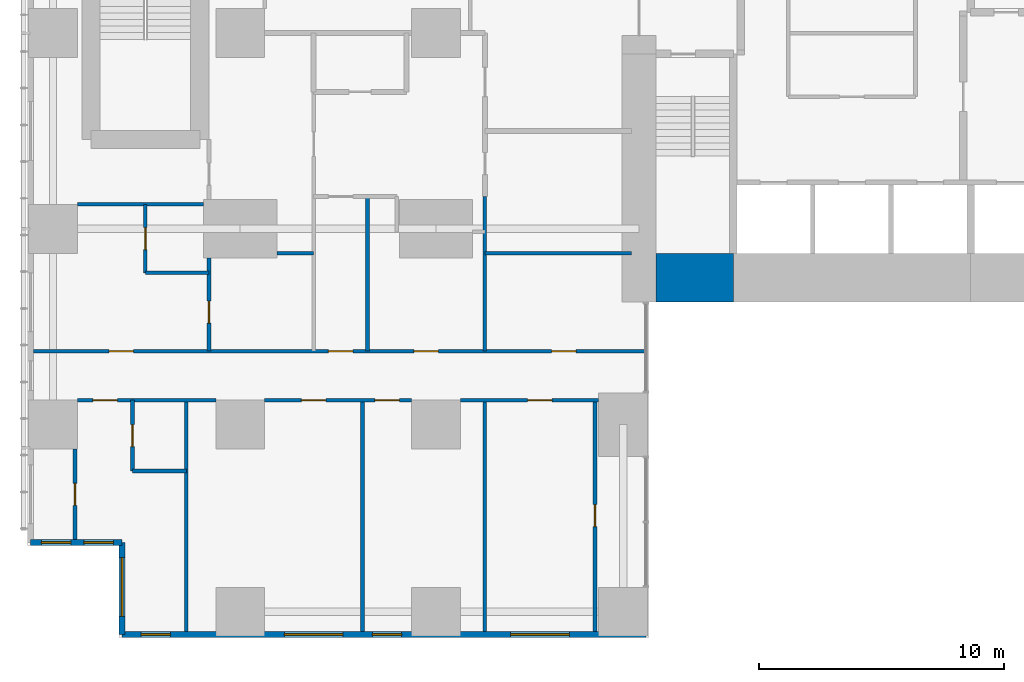
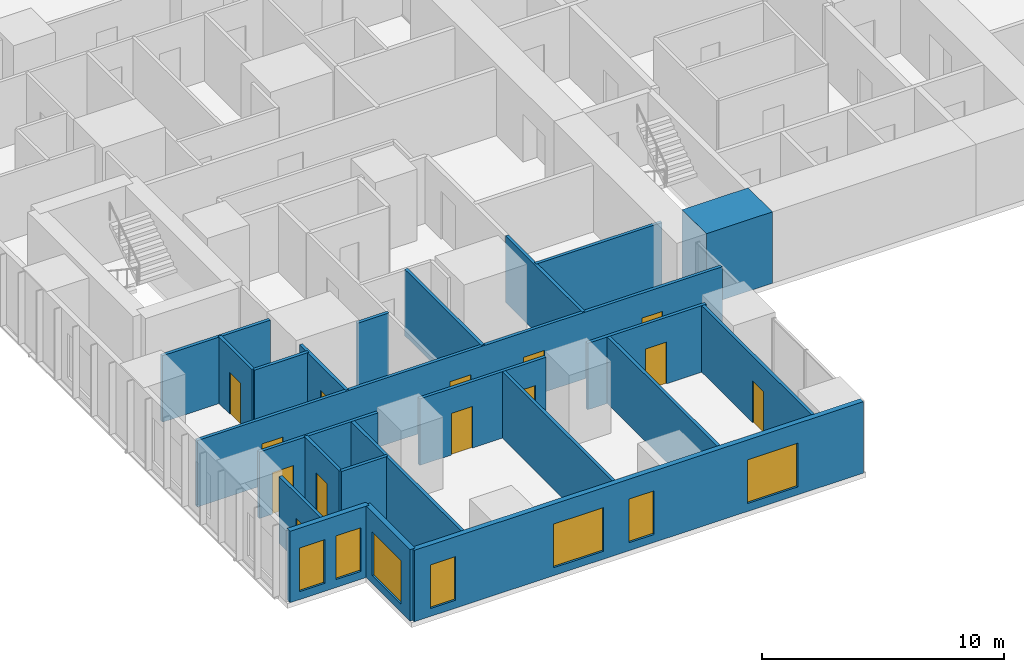
# One storey, part 12 of 20: 23 walls, 13 doors, 7 windows, 20 openings.
"""IFC4 building model written with IfcOpenShell, lengths in metres."""

from ifc_helpers import new_model, si_unit, direction, frame, frame_2d, origin, place, context, subcontext, project, spatial, rectangle, extrude, material, layer, layer_set, type_object, element, fill, save


model = new_model("IFC4")

# Units and contexts
model_context = context("Model", 3, precision=1e-05, world=origin(), true_north=direction((0.0, 1.0)))
body_context = subcontext(model_context, "Body", "Model", "MODEL_VIEW")
ifc_project = project(units=[si_unit("LENGTHUNIT", "METRE"), si_unit("AREAUNIT", "SQUARE_METRE"), si_unit("VOLUMEUNIT", "CUBIC_METRE"), si_unit("PLANEANGLEUNIT", "RADIAN"), si_unit("MASSUNIT", "GRAM", prefix="KILO")], contexts=[model_context])

# Site, building, storey
site_placement = place(None, origin())
site = spatial("IfcSite", under=ifc_project, at=site_placement, CompositionType="ELEMENT")
building_placement = place(site_placement, origin())
building = spatial("IfcBuilding", under=site, at=building_placement, Name="Cleftline Residences", CompositionType="ELEMENT")
storey_placement = place(building_placement, frame((0.0, 0.0, 146.60009765625)))
storey = spatial("IfcBuildingStorey", under=building, at=storey_placement, Name="L38", CompositionType="ELEMENT", Elevation=146.60009765625)

# Wall
ifc_material_1 = material(Name="Concrete B70", Category="concrete")
ifc_layer_1 = layer(ifc_material_1, 2.0)
ifc_layer_set_1 = layer_set([ifc_layer_1], Name="CORE WALL 2000")
wall_type_1 = type_object("IfcWallType", Name="CORE WALL 2000", PredefinedType="SHEAR", material=ifc_layer_set_1)
wall_1_placement = place(storey_placement, frame((25.0, 14.0, 0.0), z_axis=(0.0, 0.0, 1.0), x_axis=(1.0, 0.0, 0.0)))
element("IfcWall", 1, at=wall_1_placement, inside=storey, type_object=wall_type_1, Name="Core wall S1", PredefinedType="SHEAR", context=body_context, shape_type="SweptSolid", body=[
    extrude(rectangle(XDim=3.14990234375, YDim=2.0, at=frame_2d((1.574951171875, 0.0))), origin(), (0.0, 0.0, 1.0), 3.599853515625),
])

# Wall, openings, windows
ifc_material_2 = material(Name="Rendered reinforced concrete blockwork", Category="masonry")
ifc_layer_2 = layer(ifc_material_2, 0.25)
ifc_layer_set_2 = layer_set([ifc_layer_2], Name="EXTERNAL WALL 250")
wall_type_2 = type_object("IfcWallType", Name="EXTERNAL WALL 250", PredefinedType="SOLIDWALL", material=ifc_layer_set_2)
wall_2_placement = place(storey_placement, frame((-0.574951171875, 3.175048828125, 0.0), z_axis=(0.0, 0.0, 1.0), x_axis=(1.0, 0.0, 0.0)))
wall_2 = element("IfcWall", 2, at=wall_2_placement, inside=storey, type_object=wall_type_2, Name="External wall", PredefinedType="SOLIDWALL", context=body_context, shape_type="SweptSolid", body=[
    extrude(rectangle(XDim=3.75, YDim=0.25, at=frame_2d((1.875, 0.0))), origin(), (0.0, 0.0, 1.0), 3.599853515625),
])
opening_1_placement = place(wall_2_placement, frame((0.449951171875, 0.0, 0.39990234375)))
opening_1 = element("IfcOpeningElement", 3, at=opening_1_placement, cuts=wall_2, Name="Opening W11", PredefinedType="OPENING", context=body_context, shape_type="SweptSolid", body=[
    extrude(rectangle(XDim=1.199951171875, YDim=2.199951171875, at=frame_2d((0.60009765625, 1.10009765625))), frame((0.0, 0.135009765625, 0.0), z_axis=(0.0, -1.0, 0.0), x_axis=(1.0, 0.0, 0.0)), (0.0, 0.0, 1.0), 0.27001953125),
])
opening_2_placement = place(wall_2_placement, frame((2.1875, 0.0, 0.39990234375)))
opening_2 = element("IfcOpeningElement", 4, at=opening_2_placement, cuts=wall_2, Name="Opening W11", PredefinedType="OPENING", context=body_context, shape_type="SweptSolid", body=[
    extrude(rectangle(XDim=1.199951171875, YDim=2.199951171875, at=frame_2d((0.60009765625, 1.10009765625))), frame((0.0, 0.135009765625, 0.0), z_axis=(0.0, -1.0, 0.0), x_axis=(1.0, 0.0, 0.0)), (0.0, 0.0, 1.0), 0.27001953125),
])
ifc_material_3 = material(Name="Aluminium frame, clear double glazing", Category="aluminium")
window_type_1 = type_object("IfcWindowType", Name="WINDOW 1200X2200", PartitioningType="DOUBLE_PANEL_VERTICAL", PredefinedType="WINDOW", material=ifc_material_3)
window_1_placement = place(opening_1_placement, origin())
window_1 = element("IfcWindow", 5, at=window_1_placement, inside=storey, type_object=window_type_1, Name="Window", OverallHeight=2.199951171875, OverallWidth=1.199951171875, PartitioningType="SINGLE_PANEL", PredefinedType="WINDOW", context=body_context, shape_type="SweptSolid", body=[
    extrude(rectangle(XDim=1.199951171875, YDim=2.199951171875, at=frame_2d((0.60009765625, 1.10009765625))), frame((0.0, 0.030029296875, 0.0), z_axis=(0.0, -1.0, 0.0), x_axis=(1.0, 0.0, 0.0)), (0.0, 0.0, 1.0), 0.06005859375),
])
fill(opening_1, window_1)
window_2_placement = place(opening_2_placement, origin())
window_2 = element("IfcWindow", 6, at=window_2_placement, inside=storey, type_object=window_type_1, Name="Window", OverallHeight=2.199951171875, OverallWidth=1.199951171875, PartitioningType="SINGLE_PANEL", PredefinedType="WINDOW", context=body_context, shape_type="SweptSolid", body=[
    extrude(rectangle(XDim=1.199951171875, YDim=2.199951171875, at=frame_2d((0.60009765625, 1.10009765625))), frame((0.0, 0.030029296875, 0.0), z_axis=(0.0, -1.0, 0.0), x_axis=(1.0, 0.0, 0.0)), (0.0, 0.0, 1.0), 0.06005859375),
])
fill(opening_2, window_2)

# Wall, opening, window
wall_3_placement = place(storey_placement, frame((3.175048828125, 3.175048828125, 0.0), z_axis=(0.0, 0.0, 1.0), x_axis=(0.0, -1.0, 0.0)))
wall_3 = element("IfcWall", 7, at=wall_3_placement, inside=storey, type_object=wall_type_2, Name="External wall", PredefinedType="SOLIDWALL", context=body_context, shape_type="SweptSolid", body=[
    extrude(rectangle(XDim=3.75, YDim=0.25, at=frame_2d((1.875, 0.0))), origin(), (0.0, 0.0, 1.0), 3.599853515625),
])
opening_3_placement = place(wall_3_placement, frame((0.612548828125, 0.0, 0.39990234375)))
opening_3 = element("IfcOpeningElement", 8, at=opening_3_placement, cuts=wall_3, Name="Opening W12", PredefinedType="OPENING", context=body_context, shape_type="SweptSolid", body=[
    extrude(rectangle(XDim=2.39990234375, YDim=2.199951171875, at=frame_2d((1.199951171875, 1.10009765625))), frame((0.0, 0.135009765625, 0.0), z_axis=(0.0, -1.0, 0.0), x_axis=(1.0, 0.0, 0.0)), (0.0, 0.0, 1.0), 0.27001953125),
])
ifc_material_4 = material(Name="Aluminium frame, clear double glazing", Category="aluminium")
window_type_2 = type_object("IfcWindowType", Name="WINDOW 2400X2200", PartitioningType="DOUBLE_PANEL_VERTICAL", PredefinedType="WINDOW", material=ifc_material_4)
window_3_placement = place(opening_3_placement, origin())
window_3 = element("IfcWindow", 9, at=window_3_placement, inside=storey, type_object=window_type_2, Name="Window", OverallHeight=2.199951171875, OverallWidth=2.39990234375, PartitioningType="SINGLE_PANEL", PredefinedType="WINDOW", context=body_context, shape_type="SweptSolid", body=[
    extrude(rectangle(XDim=2.39990234375, YDim=2.199951171875, at=frame_2d((1.199951171875, 1.10009765625))), frame((0.0, 0.030029296875, 0.0), z_axis=(0.0, -1.0, 0.0), x_axis=(1.0, 0.0, 0.0)), (0.0, 0.0, 1.0), 0.06005859375),
])
fill(opening_3, window_3)

# Wall, openings, windows
wall_4_placement = place(storey_placement, frame((3.175048828125, -0.574951171875, 0.0), z_axis=(0.0, 0.0, 1.0), x_axis=(1.0, 0.0, 0.0)))
wall_4 = element("IfcWall", 10, at=wall_4_placement, inside=storey, type_object=wall_type_2, Name="External wall", PredefinedType="SOLIDWALL", context=body_context, shape_type="SweptSolid", body=[
    extrude(rectangle(XDim=21.39990234375, YDim=0.25, at=frame_2d((10.699951171875, 0.0))), origin(), (0.0, 0.0, 1.0), 3.599853515625),
])
opening_4_placement = place(wall_4_placement, frame((0.77490234375, 0.0, 0.39990234375)))
opening_4 = element("IfcOpeningElement", 11, at=opening_4_placement, cuts=wall_4, Name="Opening W11", PredefinedType="OPENING", context=body_context, shape_type="SweptSolid", body=[
    extrude(rectangle(XDim=1.199951171875, YDim=2.199951171875, at=frame_2d((0.60009765625, 1.10009765625))), frame((0.0, 0.135009765625, 0.0), z_axis=(0.0, -1.0, 0.0), x_axis=(1.0, 0.0, 0.0)), (0.0, 0.0, 1.0), 0.27001953125),
])
opening_5_placement = place(wall_4_placement, frame((6.625, 0.0, 0.39990234375)))
opening_5 = element("IfcOpeningElement", 12, at=opening_5_placement, cuts=wall_4, Name="Opening W12", PredefinedType="OPENING", context=body_context, shape_type="SweptSolid", body=[
    extrude(rectangle(XDim=2.39990234375, YDim=2.199951171875, at=frame_2d((1.199951171875, 1.10009765625))), frame((0.0, 0.135009765625, 0.0), z_axis=(0.0, -1.0, 0.0), x_axis=(1.0, 0.0, 0.0)), (0.0, 0.0, 1.0), 0.27001953125),
])
opening_6_placement = place(wall_4_placement, frame((10.22509765625, 0.0, 0.39990234375)))
opening_6 = element("IfcOpeningElement", 13, at=opening_6_placement, cuts=wall_4, Name="Opening W11", PredefinedType="OPENING", context=body_context, shape_type="SweptSolid", body=[
    extrude(rectangle(XDim=1.199951171875, YDim=2.199951171875, at=frame_2d((0.60009765625, 1.10009765625))), frame((0.0, 0.135009765625, 0.0), z_axis=(0.0, -1.0, 0.0), x_axis=(1.0, 0.0, 0.0)), (0.0, 0.0, 1.0), 0.27001953125),
])
opening_7_placement = place(wall_4_placement, frame((15.875, 0.0, 0.39990234375)))
opening_7 = element("IfcOpeningElement", 14, at=opening_7_placement, cuts=wall_4, Name="Opening W12", PredefinedType="OPENING", context=body_context, shape_type="SweptSolid", body=[
    extrude(rectangle(XDim=2.39990234375, YDim=2.199951171875, at=frame_2d((1.199951171875, 1.10009765625))), frame((0.0, 0.135009765625, 0.0), z_axis=(0.0, -1.0, 0.0), x_axis=(1.0, 0.0, 0.0)), (0.0, 0.0, 1.0), 0.27001953125),
])
window_4_placement = place(opening_4_placement, origin())
window_4 = element("IfcWindow", 15, at=window_4_placement, inside=storey, type_object=window_type_1, Name="Window", OverallHeight=2.199951171875, OverallWidth=1.199951171875, PartitioningType="SINGLE_PANEL", PredefinedType="WINDOW", context=body_context, shape_type="SweptSolid", body=[
    extrude(rectangle(XDim=1.199951171875, YDim=2.199951171875, at=frame_2d((0.60009765625, 1.10009765625))), frame((0.0, 0.030029296875, 0.0), z_axis=(0.0, -1.0, 0.0), x_axis=(1.0, 0.0, 0.0)), (0.0, 0.0, 1.0), 0.06005859375),
])
fill(opening_4, window_4)
window_5_placement = place(opening_6_placement, origin())
window_5 = element("IfcWindow", 16, at=window_5_placement, inside=storey, type_object=window_type_1, Name="Window", OverallHeight=2.199951171875, OverallWidth=1.199951171875, PartitioningType="SINGLE_PANEL", PredefinedType="WINDOW", context=body_context, shape_type="SweptSolid", body=[
    extrude(rectangle(XDim=1.199951171875, YDim=2.199951171875, at=frame_2d((0.60009765625, 1.10009765625))), frame((0.0, 0.030029296875, 0.0), z_axis=(0.0, -1.0, 0.0), x_axis=(1.0, 0.0, 0.0)), (0.0, 0.0, 1.0), 0.06005859375),
])
fill(opening_6, window_5)
window_6_placement = place(opening_5_placement, origin())
window_6 = element("IfcWindow", 17, at=window_6_placement, inside=storey, type_object=window_type_2, Name="Window", OverallHeight=2.199951171875, OverallWidth=2.39990234375, PartitioningType="SINGLE_PANEL", PredefinedType="WINDOW", context=body_context, shape_type="SweptSolid", body=[
    extrude(rectangle(XDim=2.39990234375, YDim=2.199951171875, at=frame_2d((1.199951171875, 1.10009765625))), frame((0.0, 0.030029296875, 0.0), z_axis=(0.0, -1.0, 0.0), x_axis=(1.0, 0.0, 0.0)), (0.0, 0.0, 1.0), 0.06005859375),
])
fill(opening_5, window_6)
window_7_placement = place(opening_7_placement, origin())
window_7 = element("IfcWindow", 18, at=window_7_placement, inside=storey, type_object=window_type_2, Name="Window", OverallHeight=2.199951171875, OverallWidth=2.39990234375, PartitioningType="SINGLE_PANEL", PredefinedType="WINDOW", context=body_context, shape_type="SweptSolid", body=[
    extrude(rectangle(XDim=2.39990234375, YDim=2.199951171875, at=frame_2d((1.199951171875, 1.10009765625))), frame((0.0, 0.030029296875, 0.0), z_axis=(0.0, -1.0, 0.0), x_axis=(1.0, 0.0, 0.0)), (0.0, 0.0, 1.0), 0.06005859375),
])
fill(opening_7, window_7)

# Wall
ifc_material_5 = material(Name="Gypsum board on steel studs", Category="steel")
ifc_layer_3 = layer(ifc_material_5, 0.14990234375)
ifc_layer_set_3 = layer_set([ifc_layer_3], Name="PARTITION 150")
wall_type_3 = type_object("IfcWallType", Name="PARTITION 150", PredefinedType="PARTITIONING", material=ifc_layer_set_3)
wall_5_placement = place(storey_placement, frame((3.60009765625, 6.10009765625, 0.0), z_axis=(0.0, 0.0, 1.0), x_axis=(1.0, 0.0, 0.0)))
element("IfcWall", 19, at=wall_5_placement, inside=storey, type_object=wall_type_3, Name="Partition", PredefinedType="PARTITIONING", context=body_context, shape_type="SweptSolid", body=[
    extrude(rectangle(XDim=2.199951171875, YDim=0.14990234375, at=frame_2d((1.10009765625, 0.0))), origin(), (0.0, 0.0, 1.0), 3.349853515625),
])

# Wall, opening, door
wall_6_placement = place(storey_placement, frame((1.35009765625, 9.0, 0.0), z_axis=(0.0, 0.0, 1.0), x_axis=(1.0, 0.0, 0.0)))
wall_6 = element("IfcWall", 20, at=wall_6_placement, inside=storey, type_object=wall_type_3, Name="Partition", PredefinedType="PARTITIONING", context=body_context, shape_type="SweptSolid", body=[
    extrude(rectangle(XDim=5.64990234375, YDim=0.14990234375, at=frame_2d((2.824951171875, 0.0))), origin(), (0.0, 0.0, 1.0), 3.349853515625),
])
opening_8_placement = place(wall_6_placement, frame((0.625, 0.0, 0.0)))
opening_8 = element("IfcOpeningElement", 21, at=opening_8_placement, cuts=wall_6, Name="Opening D2", PredefinedType="OPENING", context=body_context, shape_type="SweptSolid", body=[
    extrude(rectangle(XDim=1.0, YDim=2.10009765625, at=frame_2d((0.5, 1.050048828125))), frame((0.0, 0.0849609375, 0.0), z_axis=(0.0, -1.0, 0.0), x_axis=(1.0, 0.0, 0.0)), (0.0, 0.0, 1.0), 0.169921875),
])
ifc_material_6 = material(Name="Timber veneer on solid core", Category="wood")
door_type_1 = type_object("IfcDoorType", Name="DOOR 1000X2100", OperationType="SINGLE_SWING_LEFT", PredefinedType="DOOR", material=ifc_material_6)
door_1_placement = place(opening_8_placement, origin())
door_1 = element("IfcDoor", 22, at=door_1_placement, inside=storey, type_object=door_type_1, Name="Door to bedroom 2", OperationType="SINGLE_SWING_RIGHT", OverallHeight=2.10009765625, OverallWidth=1.0, PredefinedType="DOOR", context=body_context, shape_type="SweptSolid", body=[
    extrude(rectangle(XDim=1.0, YDim=2.10009765625, at=frame_2d((0.5, 1.050048828125))), frame((0.0, 0.02490234375, 0.0), z_axis=(0.0, -1.0, 0.0), x_axis=(1.0, 0.0, 0.0)), (0.0, 0.0, 1.0), 0.050048828125),
])
fill(opening_8, door_1)

# Wall, openings, doors
wall_7_placement = place(storey_placement, frame((9.0, 9.0, 0.0), z_axis=(0.0, 0.0, 1.0), x_axis=(1.0, 0.0, 0.0)))
wall_7 = element("IfcWall", 23, at=wall_7_placement, inside=storey, type_object=wall_type_3, Name="Partition", PredefinedType="PARTITIONING", context=body_context, shape_type="SweptSolid", body=[
    extrude(rectangle(XDim=6.0, YDim=0.14990234375, at=frame_2d((3.0, 0.0))), origin(), (0.0, 0.0, 1.0), 3.349853515625),
])
opening_9_placement = place(wall_7_placement, frame((1.5, 0.0, 0.0)))
opening_9 = element("IfcOpeningElement", 24, at=opening_9_placement, cuts=wall_7, Name="Opening D2", PredefinedType="OPENING", context=body_context, shape_type="SweptSolid", body=[
    extrude(rectangle(XDim=1.0, YDim=2.10009765625, at=frame_2d((0.5, 1.050048828125))), frame((0.0, 0.0849609375, 0.0), z_axis=(0.0, -1.0, 0.0), x_axis=(1.0, 0.0, 0.0)), (0.0, 0.0, 1.0), 0.169921875),
])
opening_10_placement = place(wall_7_placement, frame((4.5, 0.0, 0.0)))
opening_10 = element("IfcOpeningElement", 25, at=opening_10_placement, cuts=wall_7, Name="Opening D2", PredefinedType="OPENING", context=body_context, shape_type="SweptSolid", body=[
    extrude(rectangle(XDim=1.0, YDim=2.10009765625, at=frame_2d((0.5, 1.050048828125))), frame((0.0, 0.0849609375, 0.0), z_axis=(0.0, -1.0, 0.0), x_axis=(1.0, 0.0, 0.0)), (0.0, 0.0, 1.0), 0.169921875),
])
door_2_placement = place(opening_9_placement, origin())
door_2 = element("IfcDoor", 26, at=door_2_placement, inside=storey, type_object=door_type_1, Name="Door to living room", OperationType="SINGLE_SWING_RIGHT", OverallHeight=2.10009765625, OverallWidth=1.0, PredefinedType="DOOR", context=body_context, shape_type="SweptSolid", body=[
    extrude(rectangle(XDim=1.0, YDim=2.10009765625, at=frame_2d((0.5, 1.050048828125))), frame((0.0, 0.02490234375, 0.0), z_axis=(0.0, -1.0, 0.0), x_axis=(1.0, 0.0, 0.0)), (0.0, 0.0, 1.0), 0.050048828125),
])
fill(opening_9, door_2)
door_3_placement = place(opening_10_placement, origin())
door_3 = element("IfcDoor", 27, at=door_3_placement, inside=storey, type_object=door_type_1, Name="Door to dining room", OperationType="SINGLE_SWING_LEFT", OverallHeight=2.10009765625, OverallWidth=1.0, PredefinedType="DOOR", context=body_context, shape_type="SweptSolid", body=[
    extrude(rectangle(XDim=1.0, YDim=2.10009765625, at=frame_2d((0.5, 1.050048828125))), frame((0.0, 0.02490234375, 0.0), z_axis=(0.0, -1.0, 0.0), x_axis=(1.0, 0.0, 0.0)), (0.0, 0.0, 1.0), 0.050048828125),
])
fill(opening_10, door_3)

# Wall, opening, door
wall_8_placement = place(storey_placement, frame((17.0, 9.0, 0.0), z_axis=(0.0, 0.0, 1.0), x_axis=(1.0, 0.0, 0.0)))
wall_8 = element("IfcWall", 28, at=wall_8_placement, inside=storey, type_object=wall_type_3, Name="Partition", PredefinedType="PARTITIONING", context=body_context, shape_type="SweptSolid", body=[
    extrude(rectangle(XDim=5.64990234375, YDim=0.14990234375, at=frame_2d((2.824951171875, 0.0))), origin(), (0.0, 0.0, 1.0), 3.349853515625),
])
opening_11_placement = place(wall_8_placement, frame((2.75, 0.0, 0.0)))
opening_11 = element("IfcOpeningElement", 29, at=opening_11_placement, cuts=wall_8, Name="Opening D2", PredefinedType="OPENING", context=body_context, shape_type="SweptSolid", body=[
    extrude(rectangle(XDim=1.0, YDim=2.10009765625, at=frame_2d((0.5, 1.050048828125))), frame((0.0, 0.0849609375, 0.0), z_axis=(0.0, -1.0, 0.0), x_axis=(1.0, 0.0, 0.0)), (0.0, 0.0, 1.0), 0.169921875),
])
door_4_placement = place(opening_11_placement, origin())
door_4 = element("IfcDoor", 30, at=door_4_placement, inside=storey, type_object=door_type_1, Name="Door to show kitchen", OperationType="SINGLE_SWING_LEFT", OverallHeight=2.10009765625, OverallWidth=1.0, PredefinedType="DOOR", context=body_context, shape_type="SweptSolid", body=[
    extrude(rectangle(XDim=1.0, YDim=2.10009765625, at=frame_2d((0.5, 1.050048828125))), frame((0.0, 0.02490234375, 0.0), z_axis=(0.0, -1.0, 0.0), x_axis=(1.0, 0.0, 0.0)), (0.0, 0.0, 1.0), 0.050048828125),
])
fill(opening_11, door_4)

# Wall, openings, doors
wall_9_placement = place(storey_placement, frame((-0.449951171875, 11.0, 0.0), z_axis=(0.0, 0.0, 1.0), x_axis=(1.0, 0.0, 0.0)))
wall_9 = element("IfcWall", 31, at=wall_9_placement, inside=storey, type_object=wall_type_3, Name="Partition", PredefinedType="PARTITIONING", context=body_context, shape_type="SweptSolid", body=[
    extrude(rectangle(XDim=25.010986328125, YDim=0.14990234375, at=frame_2d((12.50537109375, 0.0))), origin(), (0.0, 0.0, 1.0), 3.349853515625),
])
opening_12_placement = place(wall_9_placement, frame((12.050048828125, 0.0, 0.0)))
opening_12 = element("IfcOpeningElement", 32, at=opening_12_placement, cuts=wall_9, Name="Opening D2F30", PredefinedType="OPENING", context=body_context, shape_type="SweptSolid", body=[
    extrude(rectangle(XDim=1.0, YDim=2.10009765625, at=frame_2d((0.5, 1.050048828125))), frame((0.0, 0.0849609375, 0.0), z_axis=(0.0, -1.0, 0.0), x_axis=(1.0, 0.0, 0.0)), (0.0, 0.0, 1.0), 0.169921875),
])
opening_13_placement = place(wall_9_placement, frame((3.08740234375, 0.0, 0.0)))
opening_13 = element("IfcOpeningElement", 33, at=opening_13_placement, cuts=wall_9, Name="Opening D2F30", PredefinedType="OPENING", context=body_context, shape_type="SweptSolid", body=[
    extrude(rectangle(XDim=1.0, YDim=2.10009765625, at=frame_2d((0.5, 1.050048828125))), frame((0.0, 0.0849609375, 0.0), z_axis=(0.0, -1.0, 0.0), x_axis=(1.0, 0.0, 0.0)), (0.0, 0.0, 1.0), 0.169921875),
])
opening_14_placement = place(wall_9_placement, frame((15.550048828125, 0.0, 0.0)))
opening_14 = element("IfcOpeningElement", 34, at=opening_14_placement, cuts=wall_9, Name="Opening D2F30", PredefinedType="OPENING", context=body_context, shape_type="SweptSolid", body=[
    extrude(rectangle(XDim=1.0, YDim=2.10009765625, at=frame_2d((0.5, 1.050048828125))), frame((0.0, 0.0849609375, 0.0), z_axis=(0.0, -1.0, 0.0), x_axis=(1.0, 0.0, 0.0)), (0.0, 0.0, 1.0), 0.169921875),
])
opening_15_placement = place(wall_9_placement, frame((21.175048828125, 0.0, 0.0)))
opening_15 = element("IfcOpeningElement", 35, at=opening_15_placement, cuts=wall_9, Name="Opening D2F30", PredefinedType="OPENING", context=body_context, shape_type="SweptSolid", body=[
    extrude(rectangle(XDim=1.0, YDim=2.10009765625, at=frame_2d((0.5, 1.050048828125))), frame((0.0, 0.0849609375, 0.0), z_axis=(0.0, -1.0, 0.0), x_axis=(1.0, 0.0, 0.0)), (0.0, 0.0, 1.0), 0.169921875),
])
ifc_material_7 = material(Name="Timber veneer on solid core", Category="wood")
door_type_2 = type_object("IfcDoorType", Name="DOOR 1000X2100 EI 30", OperationType="SINGLE_SWING_LEFT", PredefinedType="DOOR", material=ifc_material_7)
door_5_placement = place(opening_12_placement, origin())
door_5 = element("IfcDoor", 36, at=door_5_placement, inside=storey, type_object=door_type_2, Name="Door to residence hall (gallery)", OperationType="SINGLE_SWING_LEFT", OverallHeight=2.10009765625, OverallWidth=1.0, PredefinedType="DOOR", context=body_context, shape_type="SweptSolid", body=[
    extrude(rectangle(XDim=1.0, YDim=2.10009765625, at=frame_2d((0.5, 1.050048828125))), frame((0.0, 0.02490234375, 0.0), z_axis=(0.0, -1.0, 0.0), x_axis=(1.0, 0.0, 0.0)), (0.0, 0.0, 1.0), 0.050048828125),
])
fill(opening_12, door_5)
door_6_placement = place(opening_13_placement, origin())
door_6 = element("IfcDoor", 37, at=door_6_placement, inside=storey, type_object=door_type_2, Name="Door to master bedroom", OperationType="SINGLE_SWING_RIGHT", OverallHeight=2.10009765625, OverallWidth=1.0, PredefinedType="DOOR", context=body_context, shape_type="SweptSolid", body=[
    extrude(rectangle(XDim=1.0, YDim=2.10009765625, at=frame_2d((0.5, 1.050048828125))), frame((0.0, 0.02490234375, 0.0), z_axis=(0.0, -1.0, 0.0), x_axis=(1.0, 0.0, 0.0)), (0.0, 0.0, 1.0), 0.050048828125),
])
fill(opening_13, door_6)
door_7_placement = place(opening_14_placement, origin())
door_7 = element("IfcDoor", 38, at=door_7_placement, inside=storey, type_object=door_type_2, Name="Door to study", OperationType="SINGLE_SWING_LEFT", OverallHeight=2.10009765625, OverallWidth=1.0, PredefinedType="DOOR", context=body_context, shape_type="SweptSolid", body=[
    extrude(rectangle(XDim=1.0, YDim=2.10009765625, at=frame_2d((0.5, 1.050048828125))), frame((0.0, 0.02490234375, 0.0), z_axis=(0.0, -1.0, 0.0), x_axis=(1.0, 0.0, 0.0)), (0.0, 0.0, 1.0), 0.050048828125),
])
fill(opening_14, door_7)
door_8_placement = place(opening_15_placement, origin())
door_8 = element("IfcDoor", 39, at=door_8_placement, inside=storey, type_object=door_type_2, Name="Door to wet kitchen", OperationType="SINGLE_SWING_LEFT", OverallHeight=2.10009765625, OverallWidth=1.0, PredefinedType="DOOR", context=body_context, shape_type="SweptSolid", body=[
    extrude(rectangle(XDim=1.0, YDim=2.10009765625, at=frame_2d((0.5, 1.050048828125))), frame((0.0, 0.02490234375, 0.0), z_axis=(0.0, -1.0, 0.0), x_axis=(1.0, 0.0, 0.0)), (0.0, 0.0, 1.0), 0.050048828125),
])
fill(opening_15, door_8)

# Walls
wall_10_placement = place(storey_placement, frame((4.125, 14.199951171875, 0.0), z_axis=(0.0, 0.0, 1.0), x_axis=(1.0, 0.0, 0.0)))
element("IfcWall", 40, at=wall_10_placement, inside=storey, type_object=wall_type_3, Name="Partition", PredefinedType="PARTITIONING", context=body_context, shape_type="SweptSolid", body=[
    extrude(rectangle(XDim=2.60009765625, YDim=0.14990234375, at=frame_2d((1.300048828125, 0.0))), origin(), (0.0, 0.0, 1.0), 3.349853515625),
])
wall_11_placement = place(storey_placement, frame((9.5, 15.0, 0.0), z_axis=(0.0, 0.0, 1.0), x_axis=(1.0, 0.0, 0.0)))
element("IfcWall", 41, at=wall_11_placement, inside=storey, type_object=wall_type_3, Name="Partition", PredefinedType="PARTITIONING", context=body_context, shape_type="SweptSolid", body=[
    extrude(rectangle(XDim=1.5, YDim=0.14990234375, at=frame_2d((0.75, 0.0))), origin(), (0.0, 0.0, 1.0), 3.349853515625),
])
wall_12_placement = place(storey_placement, frame((18.0, 15.0, 0.0), z_axis=(0.0, 0.0, 1.0), x_axis=(1.0, 0.0, 0.0)))
element("IfcWall", 42, at=wall_12_placement, inside=storey, type_object=wall_type_3, Name="Partition", PredefinedType="PARTITIONING", context=body_context, shape_type="SweptSolid", body=[
    extrude(rectangle(XDim=6.0, YDim=0.14990234375, at=frame_2d((3.0, 0.0))), origin(), (0.0, 0.0, 1.0), 3.349853515625),
])
wall_13_placement = place(storey_placement, frame((1.35009765625, 17.0, 0.0), z_axis=(0.0, 0.0, 1.0), x_axis=(1.0, 0.0, 0.0)))
element("IfcWall", 43, at=wall_13_placement, inside=storey, type_object=wall_type_3, Name="Partition", PredefinedType="PARTITIONING", context=body_context, shape_type="SweptSolid", body=[
    extrude(rectangle(XDim=5.14990234375, YDim=0.14990234375, at=frame_2d((2.574951171875, 0.0))), origin(), (0.0, 0.0, 1.0), 3.349853515625),
])

# Wall, opening, door
wall_14_placement = place(storey_placement, frame((1.25, 3.300048828125, 0.0), z_axis=(0.0, 0.0, 1.0), x_axis=(0.0, 1.0, 0.0)))
wall_14 = element("IfcWall", 44, at=wall_14_placement, inside=storey, type_object=wall_type_3, Name="Partition", PredefinedType="PARTITIONING", context=body_context, shape_type="SweptSolid", body=[
    extrude(rectangle(XDim=3.699951171875, YDim=0.14990234375, at=frame_2d((1.85009765625, 0.0))), origin(), (0.0, 0.0, 1.0), 3.349853515625),
])
opening_16_placement = place(wall_14_placement, frame((1.39990234375, 0.0, 0.0)))
opening_16 = element("IfcOpeningElement", 45, at=opening_16_placement, cuts=wall_14, Name="Opening D1", PredefinedType="OPENING", context=body_context, shape_type="SweptSolid", body=[
    extrude(rectangle(XDim=0.89990234375, YDim=2.10009765625, at=frame_2d((0.449951171875, 1.050048828125))), frame((0.0, 0.0849609375, 0.0), z_axis=(0.0, -1.0, 0.0), x_axis=(1.0, 0.0, 0.0)), (0.0, 0.0, 1.0), 0.169921875),
])
ifc_material_8 = material(Name="Timber veneer on solid core", Category="wood")
door_type_3 = type_object("IfcDoorType", Name="DOOR 900X2100", OperationType="SINGLE_SWING_LEFT", PredefinedType="DOOR", material=ifc_material_8)
door_9_placement = place(opening_16_placement, origin())
door_9 = element("IfcDoor", 46, at=door_9_placement, inside=storey, type_object=door_type_3, Name="Door to walk-in wardrobe", OperationType="SINGLE_SWING_LEFT", OverallHeight=2.10009765625, OverallWidth=0.89990234375, PredefinedType="DOOR", context=body_context, shape_type="SweptSolid", body=[
    extrude(rectangle(XDim=0.89990234375, YDim=2.10009765625, at=frame_2d((0.449951171875, 1.050048828125))), frame((0.0, 0.02490234375, 0.0), z_axis=(0.0, -1.0, 0.0), x_axis=(1.0, 0.0, 0.0)), (0.0, 0.0, 1.0), 0.050048828125),
])
fill(opening_16, door_9)

wall_15_placement = place(storey_placement, frame((3.60009765625, 6.10009765625, 0.0), z_axis=(0.0, 0.0, 1.0), x_axis=(0.0, 1.0, 0.0)))
wall_15 = element("IfcWall", 47, at=wall_15_placement, inside=storey, type_object=wall_type_3, Name="Partition", PredefinedType="PARTITIONING", context=body_context, shape_type="SweptSolid", body=[
    extrude(rectangle(XDim=2.89990234375, YDim=0.14990234375, at=frame_2d((1.449951171875, 0.0))), origin(), (0.0, 0.0, 1.0), 3.349853515625),
])
opening_17_placement = place(wall_15_placement, frame((1.0, 0.0, 0.0)))
opening_17 = element("IfcOpeningElement", 48, at=opening_17_placement, cuts=wall_15, Name="Opening D1", PredefinedType="OPENING", context=body_context, shape_type="SweptSolid", body=[
    extrude(rectangle(XDim=0.89990234375, YDim=2.10009765625, at=frame_2d((0.449951171875, 1.050048828125))), frame((0.0, 0.0849609375, 0.0), z_axis=(0.0, -1.0, 0.0), x_axis=(1.0, 0.0, 0.0)), (0.0, 0.0, 1.0), 0.169921875),
])
door_10_placement = place(opening_17_placement, origin())
door_10 = element("IfcDoor", 49, at=door_10_placement, inside=storey, type_object=door_type_3, Name="Door to en-suite bathroom 2", OperationType="SINGLE_SWING_LEFT", OverallHeight=2.10009765625, OverallWidth=0.89990234375, PredefinedType="DOOR", context=body_context, shape_type="SweptSolid", body=[
    extrude(rectangle(XDim=0.89990234375, YDim=2.10009765625, at=frame_2d((0.449951171875, 1.050048828125))), frame((0.0, 0.02490234375, 0.0), z_axis=(0.0, -1.0, 0.0), x_axis=(1.0, 0.0, 0.0)), (0.0, 0.0, 1.0), 0.050048828125),
])
fill(opening_17, door_10)

wall_16_placement = place(storey_placement, frame((4.125, 14.199951171875, 0.0), z_axis=(0.0, 0.0, 1.0), x_axis=(0.0, 1.0, 0.0)))
wall_16 = element("IfcWall", 50, at=wall_16_placement, inside=storey, type_object=wall_type_3, Name="Partition", PredefinedType="PARTITIONING", context=body_context, shape_type="SweptSolid", body=[
    extrude(rectangle(XDim=2.800048828125, YDim=0.14990234375, at=frame_2d((1.39990234375, 0.0))), origin(), (0.0, 0.0, 1.0), 3.349853515625),
])
opening_18_placement = place(wall_16_placement, frame((0.949951171875, 0.0, 0.0)))
opening_18 = element("IfcOpeningElement", 51, at=opening_18_placement, cuts=wall_16, Name="Opening D1", PredefinedType="OPENING", context=body_context, shape_type="SweptSolid", body=[
    extrude(rectangle(XDim=0.89990234375, YDim=2.10009765625, at=frame_2d((0.449951171875, 1.050048828125))), frame((0.0, 0.0849609375, 0.0), z_axis=(0.0, -1.0, 0.0), x_axis=(1.0, 0.0, 0.0)), (0.0, 0.0, 1.0), 0.169921875),
])
door_11_placement = place(opening_18_placement, origin())
door_11 = element("IfcDoor", 52, at=door_11_placement, inside=storey, type_object=door_type_3, Name="Door to master bathroom", OperationType="SINGLE_SWING_LEFT", OverallHeight=2.10009765625, OverallWidth=0.89990234375, PredefinedType="DOOR", context=body_context, shape_type="SweptSolid", body=[
    extrude(rectangle(XDim=0.89990234375, YDim=2.10009765625, at=frame_2d((0.449951171875, 1.050048828125))), frame((0.0, 0.02490234375, 0.0), z_axis=(0.0, -1.0, 0.0), x_axis=(1.0, 0.0, 0.0)), (0.0, 0.0, 1.0), 0.050048828125),
])
fill(opening_18, door_11)

# Wall
wall_17_placement = place(storey_placement, frame((5.800048828125, -0.449951171875, 0.0), z_axis=(0.0, 0.0, 1.0), x_axis=(0.0, 1.0, 0.0)))
element("IfcWall", 53, at=wall_17_placement, inside=storey, type_object=wall_type_3, Name="Partition", PredefinedType="PARTITIONING", context=body_context, shape_type="SweptSolid", body=[
    extrude(rectangle(XDim=9.449951171875, YDim=0.14990234375, at=frame_2d((4.72509765625, 0.0))), origin(), (0.0, 0.0, 1.0), 3.349853515625),
])

# Wall, opening, door
wall_18_placement = place(storey_placement, frame((6.72509765625, 11.0, 0.0), z_axis=(0.0, 0.0, 1.0), x_axis=(0.0, 1.0, 0.0)))
wall_18 = element("IfcWall", 54, at=wall_18_placement, inside=storey, type_object=wall_type_3, Name="Partition", PredefinedType="PARTITIONING", context=body_context, shape_type="SweptSolid", body=[
    extrude(rectangle(XDim=3.800048828125, YDim=0.14990234375, at=frame_2d((1.89990234375, 0.0))), origin(), (0.0, 0.0, 1.0), 3.349853515625),
])
opening_19_placement = place(wall_18_placement, frame((1.14990234375, 0.0, 0.0)))
opening_19 = element("IfcOpeningElement", 55, at=opening_19_placement, cuts=wall_18, Name="Opening D1", PredefinedType="OPENING", context=body_context, shape_type="SweptSolid", body=[
    extrude(rectangle(XDim=0.89990234375, YDim=2.10009765625, at=frame_2d((0.449951171875, 1.050048828125))), frame((0.0, 0.0849609375, 0.0), z_axis=(0.0, -1.0, 0.0), x_axis=(1.0, 0.0, 0.0)), (0.0, 0.0, 1.0), 0.169921875),
])
door_12_placement = place(opening_19_placement, origin())
door_12 = element("IfcDoor", 56, at=door_12_placement, inside=storey, type_object=door_type_3, Name="Door to master dressing room", OperationType="SINGLE_SWING_RIGHT", OverallHeight=2.10009765625, OverallWidth=0.89990234375, PredefinedType="DOOR", context=body_context, shape_type="SweptSolid", body=[
    extrude(rectangle(XDim=0.89990234375, YDim=2.10009765625, at=frame_2d((0.449951171875, 1.050048828125))), frame((0.0, 0.02490234375, 0.0), z_axis=(0.0, -1.0, 0.0), x_axis=(1.0, 0.0, 0.0)), (0.0, 0.0, 1.0), 0.050048828125),
])
fill(opening_19, door_12)

# Walls
wall_19_placement = place(storey_placement, frame((13.0, -0.449951171875, 0.0), z_axis=(0.0, 0.0, 1.0), x_axis=(0.0, 1.0, 0.0)))
element("IfcWall", 57, at=wall_19_placement, inside=storey, type_object=wall_type_3, Name="Partition", PredefinedType="PARTITIONING", context=body_context, shape_type="SweptSolid", body=[
    extrude(rectangle(XDim=9.449951171875, YDim=0.14990234375, at=frame_2d((4.72509765625, 0.0))), origin(), (0.0, 0.0, 1.0), 3.349853515625),
])
wall_20_placement = place(storey_placement, frame((13.199951171875, 11.0, 0.0), z_axis=(0.0, 0.0, 1.0), x_axis=(0.0, 1.0, 0.0)))
element("IfcWall", 58, at=wall_20_placement, inside=storey, type_object=wall_type_3, Name="Partition", PredefinedType="PARTITIONING", context=body_context, shape_type="SweptSolid", body=[
    extrude(rectangle(XDim=6.324951171875, YDim=0.14990234375, at=frame_2d((3.16259765625, 0.0))), origin(), (0.0, 0.0, 1.0), 3.349853515625),
])
wall_21_placement = place(storey_placement, frame((18.0, -0.449951171875, 0.0), z_axis=(0.0, 0.0, 1.0), x_axis=(0.0, 1.0, 0.0)))
element("IfcWall", 59, at=wall_21_placement, inside=storey, type_object=wall_type_3, Name="Partition", PredefinedType="PARTITIONING", context=body_context, shape_type="SweptSolid", body=[
    extrude(rectangle(XDim=9.449951171875, YDim=0.14990234375, at=frame_2d((4.72509765625, 0.0))), origin(), (0.0, 0.0, 1.0), 3.349853515625),
])
wall_22_placement = place(storey_placement, frame((18.0, 11.0, 0.0), z_axis=(0.0, 0.0, 1.0), x_axis=(0.0, 1.0, 0.0)))
element("IfcWall", 60, at=wall_22_placement, inside=storey, type_object=wall_type_3, Name="Partition", PredefinedType="PARTITIONING", context=body_context, shape_type="SweptSolid", body=[
    extrude(rectangle(XDim=6.324951171875, YDim=0.14990234375, at=frame_2d((3.16259765625, 0.0))), origin(), (0.0, 0.0, 1.0), 3.349853515625),
])

# Wall, opening, door
wall_23_placement = place(storey_placement, frame((22.5, -0.449951171875, 0.0), z_axis=(0.0, 0.0, 1.0), x_axis=(0.0, 1.0, 0.0)))
wall_23 = element("IfcWall", 61, at=wall_23_placement, inside=storey, type_object=wall_type_3, Name="Partition", PredefinedType="PARTITIONING", context=body_context, shape_type="SweptSolid", body=[
    extrude(rectangle(XDim=9.449951171875, YDim=0.14990234375, at=frame_2d((4.72509765625, 0.0))), origin(), (0.0, 0.0, 1.0), 3.349853515625),
])
opening_20_placement = place(wall_23_placement, frame((4.27490234375, 0.0, 0.0)))
opening_20 = element("IfcOpeningElement", 62, at=opening_20_placement, cuts=wall_23, Name="Opening D1", PredefinedType="OPENING", context=body_context, shape_type="SweptSolid", body=[
    extrude(rectangle(XDim=0.89990234375, YDim=2.10009765625, at=frame_2d((0.449951171875, 1.050048828125))), frame((0.0, 0.0849609375, 0.0), z_axis=(0.0, -1.0, 0.0), x_axis=(1.0, 0.0, 0.0)), (0.0, 0.0, 1.0), 0.169921875),
])
door_13_placement = place(opening_20_placement, origin())
door_13 = element("IfcDoor", 63, at=door_13_placement, inside=storey, type_object=door_type_3, Name="Door to kitchen store", OperationType="SINGLE_SWING_LEFT", OverallHeight=2.10009765625, OverallWidth=0.89990234375, PredefinedType="DOOR", context=body_context, shape_type="SweptSolid", body=[
    extrude(rectangle(XDim=0.89990234375, YDim=2.10009765625, at=frame_2d((0.449951171875, 1.050048828125))), frame((0.0, 0.02490234375, 0.0), z_axis=(0.0, -1.0, 0.0), x_axis=(1.0, 0.0, 0.0)), (0.0, 0.0, 1.0), 0.050048828125),
])
fill(opening_20, door_13)

save(model, "model.ifc")
